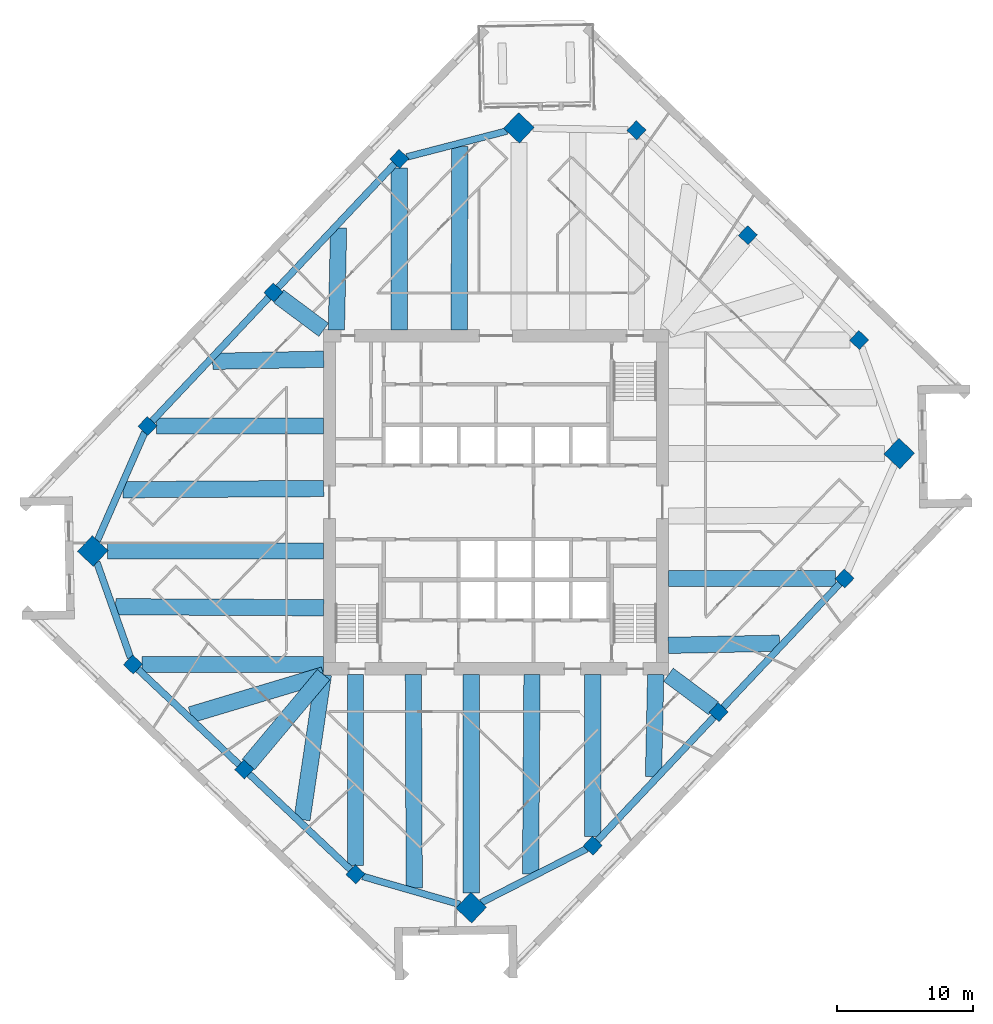
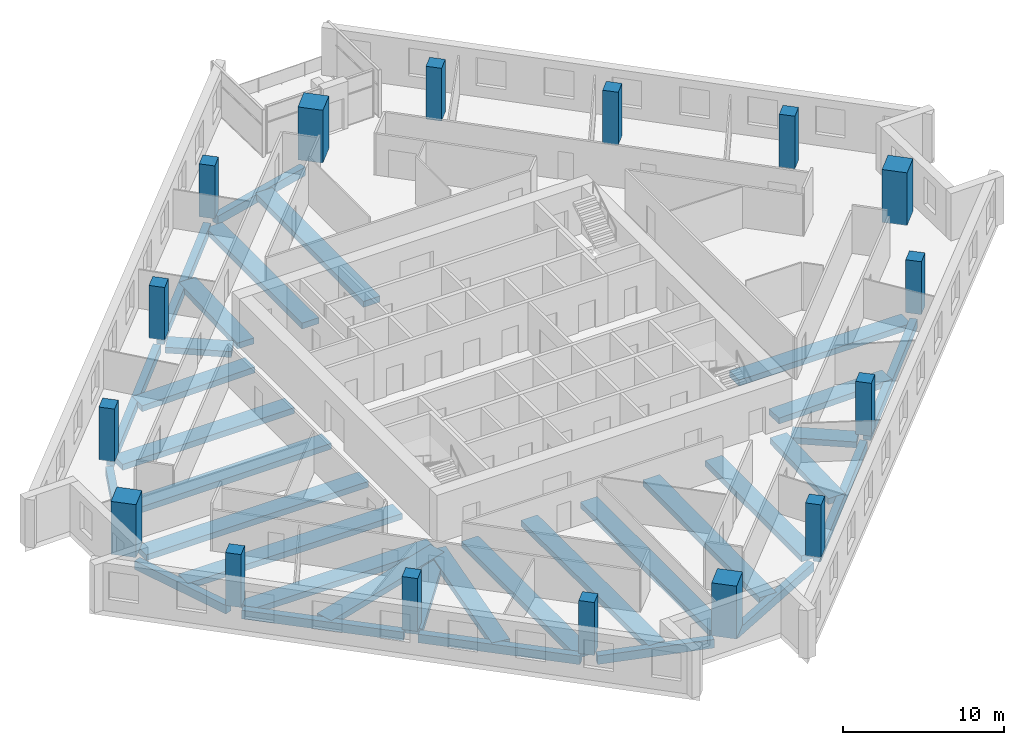
# One storey, part 1 of 13: 33 beams, 16 columns.
"""IFC4 building model written with IfcOpenShell, lengths in metres."""

from ifc_helpers import new_model, si_unit, direction, frame, origin, origin_2d, place, context, subcontext, project, spatial, rectangle, extrude, material, material_profile, profile_set, type_object, element, save


model = new_model("IFC4")

# Units and contexts
model_context = context("Model", 3, precision=1e-05, world=origin(), true_north=direction((0.0, 1.0)))
body_context = subcontext(model_context, "Body", "Model", "MODEL_VIEW")
ifc_project = project(units=[si_unit("LENGTHUNIT", "METRE"), si_unit("AREAUNIT", "SQUARE_METRE"), si_unit("VOLUMEUNIT", "CUBIC_METRE"), si_unit("PLANEANGLEUNIT", "RADIAN"), si_unit("MASSUNIT", "GRAM", prefix="KILO")], contexts=[model_context])

# Site, building, storey
site_placement = place(None, origin())
site = spatial("IfcSite", under=ifc_project, at=site_placement, CompositionType="ELEMENT")
building_placement = place(site_placement, origin())
building = spatial("IfcBuilding", under=site, at=building_placement, Name="Dilmun Exchange Tower", CompositionType="ELEMENT")
storey_placement = place(building_placement, frame((0.0, 0.0, 213.300048828125)))
storey = spatial("IfcBuildingStorey", under=building, at=storey_placement, Name="L50", CompositionType="ELEMENT", Elevation=213.300048828125)

# Columns
ifc_material_1 = material(Name="Concrete C60/75", Category="concrete")
ifc_material_profile_1 = material_profile(ifc_material_1, rectangle(XDim=1.60009765625, YDim=1.60009765625, at=origin_2d()), Name="1600 x 1600")
ifc_profile_set_1 = profile_set([ifc_material_profile_1], Name="Concrete C60/75")
column_type_1 = type_object("IfcColumnType", Name="RC mega column 1600 x 1600 C60/75", PredefinedType="COLUMN", material=ifc_profile_set_1)
for number, where, z_axis, x_axis, name in (
    (1, (1.68505859375, 27.5380859375, 0.0), (0.0, 0.0, 1.0), (0.685916152371, 0.727680583715, 0.0), "Mega column M1"),
    (2, (-29.658935546875, -3.58203125, 0.0), (0.0, 0.0, 1.0), (0.685916152371, 0.727680583715, 0.0), "Mega column M2"),
    (3, (-1.824951171875, -29.818115234375, 0.0), (0.0, 0.0, 1.0), (0.685916152371, 0.727680583715, 0.0), "Mega column M3"),
    (4, (29.658935546875, 3.58203125, 0.0), (0.0, 0.0, 1.0), (0.685916152371, 0.727680583715, 0.0), "Mega column M4"),
):
    element("IfcColumn", number, at=place(storey_placement, frame(where, z_axis=z_axis, x_axis=x_axis)), inside=storey, type_object=column_type_1, Name=name, PredefinedType="COLUMN", context=body_context, shape_type="SweptSolid", body=[
        extrude(rectangle(XDim=1.60009765625, YDim=1.60009765625, at=origin_2d()), origin(), (0.0, 0.0, 1.0), 4.0),
    ])
ifc_material_profile_2 = material_profile(ifc_material_1, rectangle(XDim=1.0, YDim=1.0, at=origin_2d()), Name="1000 x 1000")
ifc_profile_set_2 = profile_set([ifc_material_profile_2], Name="Concrete C60/75")
column_type_2 = type_object("IfcColumnType", Name="RC ring column 1000 x 1000 C60/75", PredefinedType="COLUMN", material=ifc_profile_set_2)
for number, where, z_axis, x_axis, name in (
    (5, (-7.113037109375, 25.257080078125, 0.0), (0.0, 0.0, 1.0), (0.685916152371, 0.727680583715, 0.0), "Ring column R01"),
    (6, (-16.373046875, 15.43310546875, 0.0), (0.0, 0.0, 1.0), (0.685916152371, 0.727680583715, 0.0), "Ring column R02"),
    (7, (-25.633056640625, 5.60888671875, 0.0), (0.0, 0.0, 1.0), (0.685916152371, 0.727680583715, 0.0), "Ring column R03"),
    (8, (-26.7060546875, -11.930908203125, 0.0), (0.0, 0.0, 1.0), (0.685916152371, 0.727680583715, 0.0), "Ring column R04"),
    (9, (-18.52001953125, -19.64697265625, 0.0), (0.0, 0.0, 1.0), (0.685916152371, 0.727680583715, 0.0), "Ring column R05"),
    (10, (-10.3330078125, -27.364013671875, 0.0), (0.0, 0.0, 1.0), (0.685916152371, 0.727680583715, 0.0), "Ring column R06"),
    (11, (7.113037109375, -25.257080078125, 0.0), (0.0, 0.0, 1.0), (0.685916152371, 0.727680583715, 0.0), "Ring column R07"),
    (12, (16.373046875, -15.43310546875, 0.0), (0.0, 0.0, 1.0), (0.685916152371, 0.727680583715, 0.0), "Ring column R08"),
    (13, (25.633056640625, -5.60888671875, 0.0), (0.0, 0.0, 1.0), (0.685916152371, 0.727680583715, 0.0), "Ring column R09"),
    (14, (26.7060546875, 11.930908203125, 0.0), (0.0, 0.0, 1.0), (0.685916152371, 0.727680583715, 0.0), "Ring column R10"),
    (15, (18.52001953125, 19.64697265625, 0.0), (0.0, 0.0, 1.0), (0.685916152371, 0.727680583715, 0.0), "Ring column R11"),
    (16, (10.3330078125, 27.364013671875, 0.0), (0.0, 0.0, 1.0), (0.685916152371, 0.727680583715, 0.0), "Ring column R12"),
):
    element("IfcColumn", number, at=place(storey_placement, frame(where, z_axis=z_axis, x_axis=x_axis)), inside=storey, type_object=column_type_2, Name=name, PredefinedType="COLUMN", context=body_context, shape_type="SweptSolid", body=[
        extrude(rectangle(XDim=1.0, YDim=1.0, at=origin_2d()), origin(), (0.0, 0.0, 1.0), 4.0),
    ])

# Beams
ifc_material_2 = material(Name="Concrete C40/50", Category="concrete")
ifc_material_profile_3 = material_profile(ifc_material_2, rectangle(XDim=1.199951171875, YDim=0.449951171875, at=origin_2d()), Name="1200 x 450")
ifc_profile_set_3 = profile_set([ifc_material_profile_3], Name="Concrete C40/50")
beam_type_1 = type_object("IfcBeamType", Name="RC band beam 1200 x 450 C40/50", PredefinedType="BEAM", material=ifc_profile_set_3)
beam_1_placement = place(storey_placement, frame((-7.113037109375, 24.596923828125, -0.705078125), z_axis=(0.0, -1.0, 0.0), x_axis=(1.0, 0.0, 0.0)))
element("IfcBeam", 17, at=beam_1_placement, inside=storey, type_object=beam_type_1, Name="Band beam 2", PredefinedType="BEAM", context=body_context, shape_type="SweptSolid", body=[
    extrude(rectangle(XDim=1.199951171875, YDim=0.449951171875, at=origin_2d()), origin(), (0.0, 0.0, 1.0), 11.923828125),
])
beam_2_placement = place(storey_placement, frame((-15.99072265625, 15.148681640625, -0.705078125), z_axis=(0.802264832552, -0.596968289317, 0.0), x_axis=(0.596968289317, 0.802264832552, 0.0)))
element("IfcBeam", 18, at=beam_2_placement, inside=storey, type_object=beam_type_1, Name="Band beam 3", PredefinedType="BEAM", context=body_context, shape_type="SweptSolid", body=[
    extrude(rectangle(XDim=1.199951171875, YDim=0.449951171875, at=origin_2d()), origin(), (0.0, 0.0, 1.0), 4.12890625),
])
beam_3_placement = place(storey_placement, frame((-24.972900390625, 5.60888671875, -0.705078125), z_axis=(1.0, 0.0, 0.0), x_axis=(0.0, 1.0, 0.0)))
element("IfcBeam", 19, at=beam_3_placement, inside=storey, type_object=beam_type_1, Name="Band beam 4", PredefinedType="BEAM", context=body_context, shape_type="SweptSolid", body=[
    extrude(rectangle(XDim=1.199951171875, YDim=0.449951171875, at=origin_2d()), origin(), (0.0, 0.0, 1.0), 12.2998046875),
])
beam_4_placement = place(storey_placement, frame((-28.586669921875, -3.58203125, -0.705078125), z_axis=(1.0, 0.0, 0.0), x_axis=(0.0, 1.0, 0.0)))
element("IfcBeam", 20, at=beam_4_placement, inside=storey, type_object=beam_type_1, Name="Band beam 5", PredefinedType="BEAM", context=body_context, shape_type="SweptSolid", body=[
    extrude(rectangle(XDim=1.199951171875, YDim=0.449951171875, at=origin_2d()), origin(), (0.0, 0.0, 1.0), 15.91357421875),
])
beam_5_placement = place(storey_placement, frame((-26.0458984375, -11.930908203125, -0.705078125), z_axis=(1.0, 0.0, 0.0), x_axis=(0.0, 1.0, 0.0)))
element("IfcBeam", 21, at=beam_5_placement, inside=storey, type_object=beam_type_1, Name="Band beam 6", PredefinedType="BEAM", context=body_context, shape_type="SweptSolid", body=[
    extrude(rectangle(XDim=1.199951171875, YDim=0.449951171875, at=origin_2d()), origin(), (0.0, 0.0, 1.0), 13.372802734375),
])
beam_6_placement = place(storey_placement, frame((-18.2158203125, -19.28369140625, -0.705078125), z_axis=(0.642200063897, 0.766537068856, 0.0), x_axis=(-0.766537068856, 0.642200063897, 0.0)))
element("IfcBeam", 22, at=beam_6_placement, inside=storey, type_object=beam_type_1, Name="Band beam 7", PredefinedType="BEAM", context=body_context, shape_type="SweptSolid", body=[
    extrude(rectangle(XDim=1.199951171875, YDim=0.449951171875, at=origin_2d()), origin(), (0.0, 0.0, 1.0), 8.615966796875),
])
beam_7_placement = place(storey_placement, frame((-10.3330078125, -26.703857421875, -0.705078125), z_axis=(0.0, 1.0, 0.0), x_axis=(-1.0, 0.0, 0.0)))
element("IfcBeam", 23, at=beam_7_placement, inside=storey, type_object=beam_type_1, Name="Band beam 8", PredefinedType="BEAM", context=body_context, shape_type="SweptSolid", body=[
    extrude(rectangle(XDim=1.199951171875, YDim=0.449951171875, at=origin_2d()), origin(), (0.0, 0.0, 1.0), 14.03076171875),
])
beam_8_placement = place(storey_placement, frame((-1.824951171875, -28.74560546875, -0.705078125), z_axis=(0.0, 1.0, 0.0), x_axis=(-1.0, 0.0, 0.0)))
element("IfcBeam", 24, at=beam_8_placement, inside=storey, type_object=beam_type_1, Name="Band beam 9", PredefinedType="BEAM", context=body_context, shape_type="SweptSolid", body=[
    extrude(rectangle(XDim=1.199951171875, YDim=0.449951171875, at=origin_2d()), origin(), (0.0, 0.0, 1.0), 16.072509765625),
])
beam_9_placement = place(storey_placement, frame((7.113037109375, -24.596923828125, -0.705078125), z_axis=(0.0, 1.0, 0.0), x_axis=(-1.0, 0.0, 0.0)))
element("IfcBeam", 25, at=beam_9_placement, inside=storey, type_object=beam_type_1, Name="Band beam 10", PredefinedType="BEAM", context=body_context, shape_type="SweptSolid", body=[
    extrude(rectangle(XDim=1.199951171875, YDim=0.449951171875, at=origin_2d()), origin(), (0.0, 0.0, 1.0), 11.923828125),
])
beam_10_placement = place(storey_placement, frame((15.99072265625, -15.148681640625, -0.705078125), z_axis=(-0.802264832552, 0.596968289317, 0.0), x_axis=(-0.596968289317, -0.802264832552, 0.0)))
element("IfcBeam", 26, at=beam_10_placement, inside=storey, type_object=beam_type_1, Name="Band beam 11", PredefinedType="BEAM", context=body_context, shape_type="SweptSolid", body=[
    extrude(rectangle(XDim=1.199951171875, YDim=0.449951171875, at=origin_2d()), origin(), (0.0, 0.0, 1.0), 4.12890625),
])
beam_11_placement = place(storey_placement, frame((24.972900390625, -5.60888671875, -0.705078125), z_axis=(-1.0, 0.0, 0.0), x_axis=(0.0, -1.0, 0.0)))
element("IfcBeam", 27, at=beam_11_placement, inside=storey, type_object=beam_type_1, Name="Band beam 12", PredefinedType="BEAM", context=body_context, shape_type="SweptSolid", body=[
    extrude(rectangle(XDim=1.199951171875, YDim=0.449951171875, at=origin_2d()), origin(), (0.0, 0.0, 1.0), 12.2998046875),
])
beam_12_placement = place(storey_placement, frame((-2.657958984375, 26.181640625, -0.60498046875), z_axis=(-0.004156765881, -0.999991360611, 0.0), x_axis=(0.999991360611, -0.004156765881, 0.0)))
element("IfcBeam", 28, at=beam_12_placement, inside=storey, type_object=beam_type_1, Name="Band beam 17", PredefinedType="BEAM", context=body_context, shape_type="SweptSolid", body=[
    extrude(rectangle(XDim=1.199951171875, YDim=0.449951171875, at=origin_2d()), origin(), (0.0, 0.0, 1.0), 13.508544921875),
])
beam_13_placement = place(storey_placement, frame((-11.580810546875, 20.19189453125, -0.60498046875), z_axis=(-0.021555532074, -0.999767652526, 0.0), x_axis=(0.999767652526, -0.021555532074, 0.0)))
element("IfcBeam", 29, at=beam_13_placement, inside=storey, type_object=beam_type_1, Name="Band beam 18", PredefinedType="BEAM", context=body_context, shape_type="SweptSolid", body=[
    extrude(rectangle(XDim=1.199951171875, YDim=0.449951171875, at=origin_2d()), origin(), (0.0, 0.0, 1.0), 7.5205078125),
])
beam_14_placement = place(storey_placement, frame((-20.8408203125, 10.367919921875, -0.60498046875), z_axis=(0.999824422594, 0.018738302585, 0.0), x_axis=(-0.018738302585, 0.999824422594, 0.0)))
element("IfcBeam", 30, at=beam_14_placement, inside=storey, type_object=beam_type_1, Name="Band beam 19", PredefinedType="BEAM", context=body_context, shape_type="SweptSolid", body=[
    extrude(rectangle(XDim=1.199951171875, YDim=0.449951171875, at=origin_2d()), origin(), (0.0, 0.0, 1.0), 8.169189453125),
])
beam_15_placement = place(storey_placement, frame((-27.441650390625, 0.924072265625, -0.60498046875), z_axis=(0.999981696912, 0.006050276087, 0.0), x_axis=(-0.006050276087, 0.999981696912, 0.0)))
element("IfcBeam", 31, at=beam_15_placement, inside=storey, type_object=beam_type_1, Name="Band beam 20", PredefinedType="BEAM", context=body_context, shape_type="SweptSolid", body=[
    extrude(rectangle(XDim=1.199951171875, YDim=0.449951171875, at=origin_2d()), origin(), (0.0, 0.0, 1.0), 14.768798828125),
])
beam_16_placement = place(storey_placement, frame((-27.972412109375, -7.68212890625, -0.60498046875), z_axis=(0.99998815601, -0.004867015408, 0.0), x_axis=(0.004867015408, 0.99998815601, 0.0)))
element("IfcBeam", 32, at=beam_16_placement, inside=storey, type_object=beam_type_1, Name="Band beam 21", PredefinedType="BEAM", context=body_context, shape_type="SweptSolid", body=[
    extrude(rectangle(XDim=1.199951171875, YDim=0.449951171875, at=origin_2d()), origin(), (0.0, 0.0, 1.0), 15.299560546875),
])
beam_17_placement = place(storey_placement, frame((-22.4599609375, -15.626708984375, -0.60498046875), z_axis=(0.957849959988, 0.287268957862, 0.0), x_axis=(-0.287268957862, 0.957849959988, 0.0)))
element("IfcBeam", 33, at=beam_17_placement, inside=storey, type_object=beam_type_1, Name="Band beam 22", PredefinedType="BEAM", context=body_context, shape_type="SweptSolid", body=[
    extrude(rectangle(XDim=1.199951171875, YDim=0.449951171875, at=origin_2d()), origin(), (0.0, 0.0, 1.0), 10.21630859375),
])
beam_18_placement = place(storey_placement, frame((-14.2734375, -23.34326171875, -0.60498046875), z_axis=(0.146268101323, 0.989244986106, 0.0), x_axis=(-0.989244986106, 0.146268101323, 0.0)))
element("IfcBeam", 34, at=beam_18_placement, inside=storey, type_object=beam_type_1, Name="Band beam 23", PredefinedType="BEAM", context=body_context, shape_type="SweptSolid", body=[
    extrude(rectangle(XDim=1.199951171875, YDim=0.449951171875, at=origin_2d()), origin(), (0.0, 0.0, 1.0), 10.785888671875),
])
beam_19_placement = place(storey_placement, frame((-6.01708984375, -28.376708984375, -0.60498046875), z_axis=(-0.003948851398, 0.999992203256, 0.0), x_axis=(-0.999992203256, -0.003948851398, 0.0)))
element("IfcBeam", 35, at=beam_19_placement, inside=storey, type_object=beam_type_1, Name="Band beam 24", PredefinedType="BEAM", context=body_context, shape_type="SweptSolid", body=[
    extrude(rectangle(XDim=1.199951171875, YDim=0.449951171875, at=origin_2d()), origin(), (0.0, 0.0, 1.0), 15.703857421875),
])
beam_20_placement = place(storey_placement, frame((2.54248046875, -27.3388671875, -0.60498046875), z_axis=(0.006924972536, 0.99997602209, 0.0), x_axis=(-0.99997602209, 0.006924972536, 0.0)))
element("IfcBeam", 36, at=beam_20_placement, inside=storey, type_object=beam_type_1, Name="Band beam 25", PredefinedType="BEAM", context=body_context, shape_type="SweptSolid", body=[
    extrude(rectangle(XDim=1.199951171875, YDim=0.449951171875, at=origin_2d()), origin(), (0.0, 0.0, 1.0), 14.666015625),
])
beam_21_placement = place(storey_placement, frame((11.580810546875, -20.19189453125, -0.60498046875), z_axis=(0.021555532074, 0.999767652526, 0.0), x_axis=(-0.999767652526, 0.021555532074, 0.0)))
element("IfcBeam", 37, at=beam_21_placement, inside=storey, type_object=beam_type_1, Name="Band beam 26", PredefinedType="BEAM", context=body_context, shape_type="SweptSolid", body=[
    extrude(rectangle(XDim=1.199951171875, YDim=0.449951171875, at=origin_2d()), origin(), (0.0, 0.0, 1.0), 7.5205078125),
])
beam_22_placement = place(storey_placement, frame((20.8408203125, -10.367919921875, -0.60498046875), z_axis=(-0.999824422594, -0.018738302585, 0.0), x_axis=(0.018738302585, -0.999824422594, 0.0)))
element("IfcBeam", 38, at=beam_22_placement, inside=storey, type_object=beam_type_1, Name="Band beam 27", PredefinedType="BEAM", context=body_context, shape_type="SweptSolid", body=[
    extrude(rectangle(XDim=1.199951171875, YDim=0.449951171875, at=origin_2d()), origin(), (0.0, 0.0, 1.0), 8.169189453125),
])
ifc_material_profile_4 = material_profile(ifc_material_2, rectangle(XDim=0.5, YDim=0.64990234375, at=origin_2d()), Name="500 x 650")
ifc_profile_set_4 = profile_set([ifc_material_profile_4], Name="Concrete C40/50")
beam_type_2 = type_object("IfcBeamType", Name="RC ring beam 500 x 650 C40/50", PredefinedType="SPANDREL", material=ifc_profile_set_4)
beam_23_placement = place(storey_placement, frame((0.79638671875, 27.3076171875, -0.705078125), z_axis=(-0.967995165605, -0.250968841424, 0.0), x_axis=(0.250968841424, -0.967995165605, 0.0)))
element("IfcBeam", 39, at=beam_23_placement, inside=storey, type_object=beam_type_2, Name="Ring beam 1", PredefinedType="SPANDREL", context=body_context, shape_type="SweptSolid", body=[
    extrude(rectangle(XDim=0.5, YDim=0.64990234375, at=origin_2d()), origin(), (0.0, 0.0, 1.0), 7.607177734375),
])
for number, where, z_axis, x_axis, name in (
    (40, (-7.4375, 24.912841796875, -0.705078125), (-0.685902559512, -0.727693396188, 0.0), (0.727693396188, -0.685902559512, 0.0), "Ring beam 2"),
    (41, (-16.697509765625, 15.0888671875, -0.705078125), (-0.685902559512, -0.727693396188, 0.0), (0.727693396188, -0.685902559512, 0.0), "Ring beam 3"),
):
    element("IfcBeam", number, at=place(storey_placement, frame(where, z_axis=z_axis, x_axis=x_axis)), inside=storey, type_object=beam_type_2, Name=name, PredefinedType="SPANDREL", context=body_context, shape_type="SweptSolid", body=[
        extrude(rectangle(XDim=0.5, YDim=0.64990234375, at=origin_2d()), origin(), (0.0, 0.0, 1.0), 12.554443359375),
    ])
beam_24_placement = place(storey_placement, frame((-25.835205078125, 5.1474609375, -0.705078125), z_axis=(-0.401239440722, -0.915973204416, 0.0), x_axis=(0.915973204416, -0.401239440722, 0.0)))
element("IfcBeam", 42, at=beam_24_placement, inside=storey, type_object=beam_type_2, Name="Ring beam 4", PredefinedType="SPANDREL", context=body_context, shape_type="SweptSolid", body=[
    extrude(rectangle(XDim=0.5, YDim=0.64990234375, at=origin_2d()), origin(), (0.0, 0.0, 1.0), 8.707763671875),
])
beam_25_placement = place(storey_placement, frame((-29.367919921875, -4.404541015625, -0.705078125), z_axis=(0.333423578623, -0.942777130195, 0.0), x_axis=(0.942777130195, 0.333423578623, 0.0)))
element("IfcBeam", 43, at=beam_25_placement, inside=storey, type_object=beam_type_2, Name="Ring beam 5", PredefinedType="SPANDREL", context=body_context, shape_type="SweptSolid", body=[
    extrude(rectangle(XDim=0.5, YDim=0.64990234375, at=origin_2d()), origin(), (0.0, 0.0, 1.0), 7.4482421875),
])
beam_26_placement = place(storey_placement, frame((-26.36181640625, -12.25537109375, -0.705078125), z_axis=(0.727685706374, -0.68591071776, 0.0), x_axis=(0.68591071776, 0.727685706374, 0.0)))
element("IfcBeam", 44, at=beam_26_placement, inside=storey, type_object=beam_type_2, Name="Ring beam 6", PredefinedType="SPANDREL", context=body_context, shape_type="SweptSolid", body=[
    extrude(rectangle(XDim=0.5, YDim=0.64990234375, at=origin_2d()), origin(), (0.0, 0.0, 1.0), 10.30322265625),
])
beam_27_placement = place(storey_placement, frame((-18.17578125, -19.971435546875, -0.705078125), z_axis=(0.727682990869, -0.685913598641, 0.0), x_axis=(0.685913598641, 0.727682990869, 0.0)))
element("IfcBeam", 45, at=beam_27_placement, inside=storey, type_object=beam_type_2, Name="Ring beam 7", PredefinedType="SPANDREL", context=body_context, shape_type="SweptSolid", body=[
    extrude(rectangle(XDim=0.5, YDim=0.64990234375, at=origin_2d()), origin(), (0.0, 0.0, 1.0), 10.3046875),
])
beam_28_placement = place(storey_placement, frame((-9.818603515625, -27.51220703125, -0.705078125), z_axis=(0.960825605861, -0.277153666983, 0.0), x_axis=(0.277153666983, 0.960825605861, 0.0)))
element("IfcBeam", 46, at=beam_28_placement, inside=storey, type_object=beam_type_2, Name="Ring beam 8", PredefinedType="SPANDREL", context=body_context, shape_type="SweptSolid", body=[
    extrude(rectangle(XDim=0.5, YDim=0.64990234375, at=origin_2d()), origin(), (0.0, 0.0, 1.0), 7.447021484375),
])
beam_29_placement = place(storey_placement, frame((-1.09228515625, -29.444091796875, -0.705078125), z_axis=(0.89072990219, 0.454532992581, 0.0), x_axis=(-0.454532992581, 0.89072990219, 0.0)))
element("IfcBeam", 47, at=beam_29_placement, inside=storey, type_object=beam_type_2, Name="Ring beam 9", PredefinedType="SPANDREL", context=body_context, shape_type="SweptSolid", body=[
    extrude(rectangle(XDim=0.5, YDim=0.64990234375, at=origin_2d()), origin(), (0.0, 0.0, 1.0), 8.707763671875),
])
for number, where, z_axis, x_axis, name in (
    (48, (7.4375, -24.912841796875, -0.705078125), (0.685902559512, 0.727693396188, 0.0), (-0.727693396188, 0.685902559512, 0.0), "Ring beam 10"),
    (49, (16.697509765625, -15.0888671875, -0.705078125), (0.685902559512, 0.727693396188, 0.0), (-0.727693396188, 0.685902559512, 0.0), "Ring beam 11"),
):
    element("IfcBeam", number, at=place(storey_placement, frame(where, z_axis=z_axis, x_axis=x_axis)), inside=storey, type_object=beam_type_2, Name=name, PredefinedType="SPANDREL", context=body_context, shape_type="SweptSolid", body=[
        extrude(rectangle(XDim=0.5, YDim=0.64990234375, at=origin_2d()), origin(), (0.0, 0.0, 1.0), 12.554443359375),
    ])

save(model, "model.ifc")
